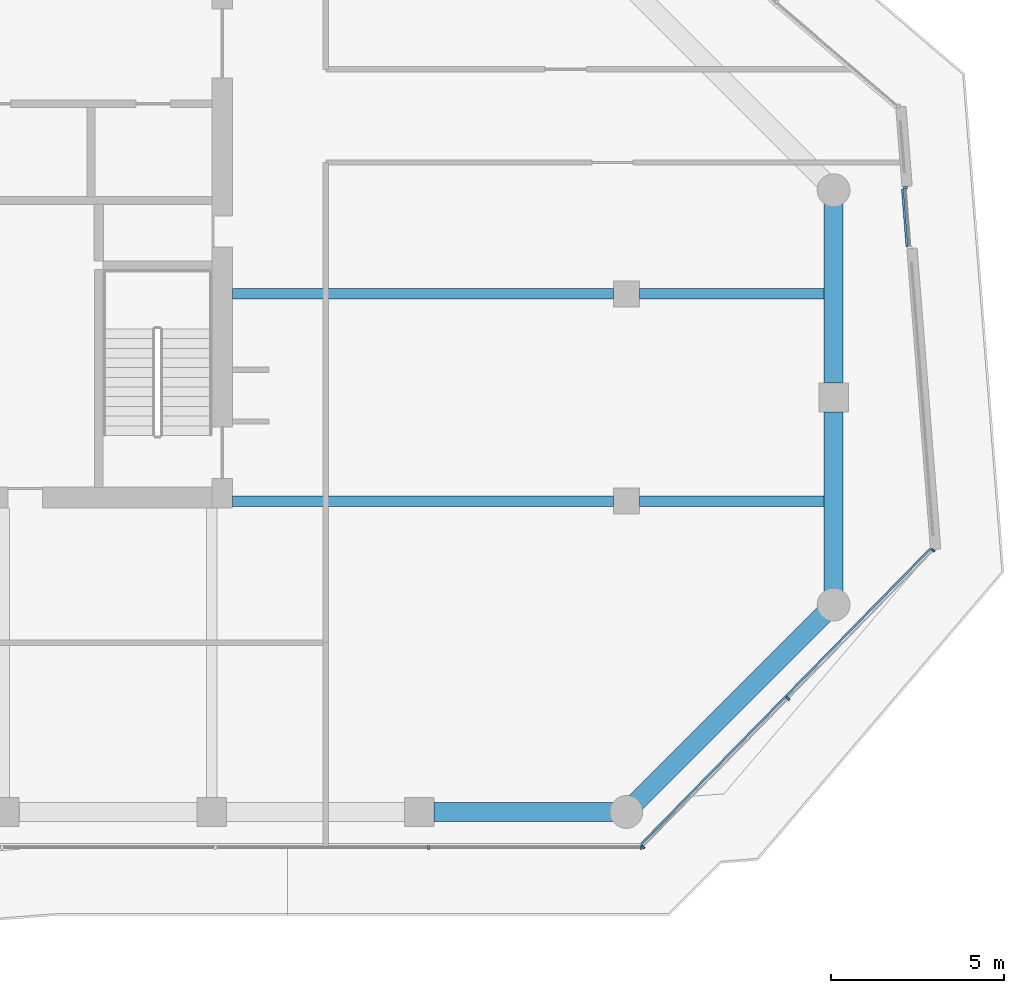
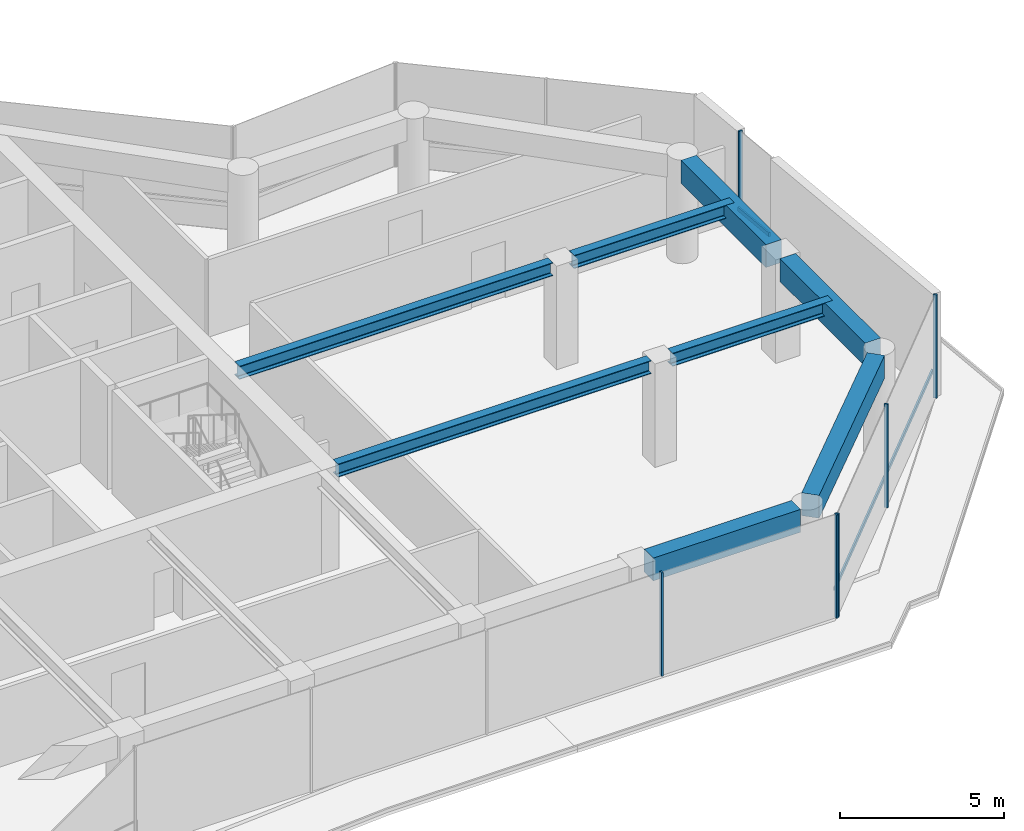
# One storey, part 7 of 23: 8 beams, 8 members, 3 elements without a shape of their own.
"""IFC4 building model written with IfcOpenShell, lengths in metres."""

from ifc_helpers import new_model, si_unit, direction, frame, origin, origin_2d, place, context, subcontext, project, spatial, rectangle, i_section, extrude, material, layer, layer_set, material_profile, profile_set, type_object, element, aggregate, save


model = new_model("IFC4")

# Units and contexts
model_context = context("Model", 3, precision=1e-05, world=origin(), true_north=direction((0.0, 1.0)))
body_context = subcontext(model_context, "Body", "Model", "MODEL_VIEW")
ifc_project = project(units=[si_unit("LENGTHUNIT", "METRE"), si_unit("AREAUNIT", "SQUARE_METRE"), si_unit("VOLUMEUNIT", "CUBIC_METRE"), si_unit("PLANEANGLEUNIT", "RADIAN"), si_unit("MASSUNIT", "GRAM", prefix="KILO")], contexts=[model_context])

# Site, building, storey
site_placement = place(None, origin())
site = spatial("IfcSite", under=ifc_project, at=site_placement, CompositionType="ELEMENT")
building_placement = place(site_placement, origin())
building = spatial("IfcBuilding", under=site, at=building_placement, Name="Welwitschia Terrace Campus", CompositionType="ELEMENT")
storey_placement = place(building_placement, frame((0.0, 0.0, 188.60009765625)))
storey = spatial("IfcBuildingStorey", under=building, at=storey_placement, Name="L42", CompositionType="ELEMENT", Elevation=188.60009765625)

# Beams
ifc_material_1 = material(Name="Steel S355", Category="steel")
ifc_material_profile_1 = material_profile(ifc_material_1, i_section(OverallWidth=0.300048828125, OverallDepth=0.489990234375, WebThickness=0.011962890625, FlangeThickness=0.02294921875, FilletRadius=0.027099609375, at=origin_2d()))
ifc_profile_set_1 = profile_set([ifc_material_profile_1], Name="Steel S355")
beam_type_1 = type_object("IfcBeamType", Name="Interior girder HE 500 A", PredefinedType="BEAM", material=ifc_profile_set_1)
beam_1_placement = place(storey_placement, frame((24.60107421875, 5.0, 3.60498046875), z_axis=(1.0, 0.0, 0.0), x_axis=(0.0, 1.0, 0.0)))
element("IfcBeam", 1, at=beam_1_placement, inside=storey, type_object=beam_type_1, Name="Girder GB4", PredefinedType="BEAM", context=body_context, shape_type="SweptSolid", body=[
    extrude(i_section(OverallWidth=0.300048828125, OverallDepth=0.489990234375, WebThickness=0.011962890625, FlangeThickness=0.02294921875, FilletRadius=0.027099609375, at=origin_2d()), origin(), (0.0, 0.0, 1.0), 11.0234375),
])
beam_2_placement = place(storey_placement, frame((36.37548828125, 5.0, 3.60498046875), z_axis=(1.0, 0.0, 0.0), x_axis=(0.0, 1.0, 0.0)))
element("IfcBeam", 2, at=beam_2_placement, inside=storey, type_object=beam_type_1, Name="Girder GB4", PredefinedType="BEAM", context=body_context, shape_type="SweptSolid", body=[
    extrude(i_section(OverallWidth=0.300048828125, OverallDepth=0.489990234375, WebThickness=0.011962890625, FlangeThickness=0.02294921875, FilletRadius=0.027099609375, at=origin_2d()), origin(), (0.0, 0.0, 1.0), 5.634521484375),
])
beam_3_placement = place(storey_placement, frame((24.60107421875, 11.0, 3.60498046875), z_axis=(1.0, 0.0, 0.0), x_axis=(0.0, 1.0, 0.0)))
element("IfcBeam", 3, at=beam_3_placement, inside=storey, type_object=beam_type_1, Name="Girder GB4", PredefinedType="BEAM", context=body_context, shape_type="SweptSolid", body=[
    extrude(i_section(OverallWidth=0.300048828125, OverallDepth=0.489990234375, WebThickness=0.011962890625, FlangeThickness=0.02294921875, FilletRadius=0.027099609375, at=origin_2d()), origin(), (0.0, 0.0, 1.0), 11.0234375),
])
beam_4_placement = place(storey_placement, frame((36.37548828125, 11.0, 3.60498046875), z_axis=(1.0, 0.0, 0.0), x_axis=(0.0, 1.0, 0.0)))
element("IfcBeam", 4, at=beam_4_placement, inside=storey, type_object=beam_type_1, Name="Girder GB4", PredefinedType="BEAM", context=body_context, shape_type="SweptSolid", body=[
    extrude(i_section(OverallWidth=0.300048828125, OverallDepth=0.489990234375, WebThickness=0.011962890625, FlangeThickness=0.02294921875, FilletRadius=0.027099609375, at=origin_2d()), origin(), (0.0, 0.0, 1.0), 5.634521484375),
])

# Curtain wall, members
ifc_material_2 = material(Name="Bronze anodised aluminium", Category="aluminium")
ifc_layer = layer(ifc_material_2, 0.1201171875)
ifc_layer_set = layer_set([ifc_layer], Name="Bronze anodised aluminium")
curtain_wall_type = type_object("IfcCurtainWallType", Name="Curtain wall CW2 tower 6000", PredefinedType="NOTDEFINED", material=ifc_layer_set)
curtain_wall_1_placement = place(storey_placement, origin())
curtain_wall_1 = element("IfcCurtainWall", 5, at=curtain_wall_1_placement, inside=storey, type_object=curtain_wall_type, Name="CW L42.3.0", PredefinedType="NOTDEFINED")
ifc_material_3 = material(Name="Bronze anodised aluminium", Category="aluminium")
ifc_material_profile_2 = material_profile(ifc_material_3, rectangle(XDim=0.1201171875, YDim=0.06005859375, at=origin_2d()))
ifc_profile_set_2 = profile_set([ifc_material_profile_2], Name="Bronze anodised aluminium")
member_type_1 = type_object("IfcMemberType", Name="Mullion 60x120", PredefinedType="MULLION", material=ifc_profile_set_2)
member_1_placement = place(storey_placement, frame((30.280029296875, -5.030029296875, 0.0), z_axis=(0.0, 0.0, 1.0), x_axis=(0.0, 1.0, 0.0)))
member_1 = element("IfcMember", 6, at=member_1_placement, type_object=member_type_1, Name="Mullion L42.3.0.4", PredefinedType="MULLION", context=body_context, shape_type="SweptSolid", body=[
    extrude(rectangle(XDim=0.1201171875, YDim=0.06005859375, at=origin_2d()), origin(), (0.0, 0.0, 1.0), 3.849853515625),
])
member_2_placement = place(storey_placement, frame((36.4267578125, -5.030029296875, 0.0), z_axis=(0.0, 0.0, 1.0), x_axis=(0.0, 1.0, 0.0)))
member_2 = element("IfcMember", 7, at=member_2_placement, type_object=member_type_1, Name="Mullion L42.3.0.5", PredefinedType="MULLION", context=body_context, shape_type="SweptSolid", body=[
    extrude(rectangle(XDim=0.1201171875, YDim=0.06005859375, at=origin_2d()), origin(), (0.0, 0.0, 1.0), 3.849853515625),
])
aggregate(curtain_wall_1, [member_1, member_2])

curtain_wall_2_placement = place(storey_placement, origin())
curtain_wall_2 = element("IfcCurtainWall", 8, at=curtain_wall_2_placement, inside=storey, type_object=curtain_wall_type, Name="CW L42.4.0", PredefinedType="NOTDEFINED")
member_3_placement = place(storey_placement, frame((36.4775390625, -5.008544921875, 0.0), z_axis=(0.0, 0.0, 1.0), x_axis=(-0.714458712229, 0.699677603272, 0.0)))
member_3 = element("IfcMember", 9, at=member_3_placement, type_object=member_type_1, Name="Mullion L42.4.0.0", PredefinedType="MULLION", context=body_context, shape_type="SweptSolid", body=[
    extrude(rectangle(XDim=0.1201171875, YDim=0.06005859375, at=origin_2d()), origin(), (0.0, 0.0, 1.0), 3.849853515625),
])
member_4_placement = place(storey_placement, frame((40.680908203125, -0.716552734375, 0.0), z_axis=(0.0, 0.0, 1.0), x_axis=(-0.714458712229, 0.699677603272, 0.0)))
member_4 = element("IfcMember", 10, at=member_4_placement, type_object=member_type_1, Name="Mullion L42.4.0.1", PredefinedType="MULLION", context=body_context, shape_type="SweptSolid", body=[
    extrude(rectangle(XDim=0.1201171875, YDim=0.06005859375, at=origin_2d()), origin(), (0.0, 0.0, 1.0), 3.849853515625),
])
member_5_placement = place(storey_placement, frame((44.88427734375, 3.57568359375, 0.0), z_axis=(0.0, 0.0, 1.0), x_axis=(-0.714458712229, 0.699677603272, 0.0)))
member_5 = element("IfcMember", 11, at=member_5_placement, type_object=member_type_1, Name="Mullion L42.4.0.2", PredefinedType="MULLION", context=body_context, shape_type="SweptSolid", body=[
    extrude(rectangle(XDim=0.1201171875, YDim=0.06005859375, at=origin_2d()), origin(), (0.0, 0.0, 1.0), 3.849853515625),
])

# Curtain wall, member
curtain_wall_3_placement = place(storey_placement, origin())
curtain_wall_3 = element("IfcCurtainWall", 12, at=curtain_wall_3_placement, inside=storey, type_object=curtain_wall_type, Name="CW L42.5.S0", PredefinedType="NOTDEFINED")
member_6_placement = place(storey_placement, frame((44.08056640625, 14.07470703125, 0.0), z_axis=(0.0, 0.0, 1.0), x_axis=(-0.996917333733, -0.078459095728, 0.0)))
member_6 = element("IfcMember", 13, at=member_6_placement, type_object=member_type_1, Name="Mullion L42.5.S0.1", PredefinedType="MULLION", context=body_context, shape_type="SweptSolid", body=[
    extrude(rectangle(XDim=0.1201171875, YDim=0.06005859375, at=origin_2d()), origin(), (0.0, 0.0, 1.0), 3.849853515625),
])

# Beams
ifc_material_4 = material(Name="Concrete C50/60", Category="concrete")
ifc_material_profile_3 = material_profile(ifc_material_4, rectangle(XDim=0.550048828125, YDim=0.85009765625, at=origin_2d()))
ifc_profile_set_3 = profile_set([ifc_material_profile_3], Name="Concrete C50/60")
beam_type_2 = type_object("IfcBeamType", Name="Ring spandrel 550x850", PredefinedType="SPANDREL", material=ifc_profile_set_3)
beam_5_placement = place(storey_placement, frame((30.425537109375, -4.0, 3.4248046875), z_axis=(1.0, 0.0, 0.0), x_axis=(0.0, 1.0, 0.0)))
element("IfcBeam", 14, at=beam_5_placement, inside=storey, type_object=beam_type_2, Name="Spandrel SP3", PredefinedType="SPANDREL", context=body_context, shape_type="SweptSolid", body=[
    extrude(rectangle(XDim=0.550048828125, YDim=0.85009765625, at=origin_2d()), origin(), (0.0, 0.0, 1.0), 5.1865234375),
])
beam_6_placement = place(storey_placement, frame((36.2744140625, -3.7255859375, 3.4248046875), z_axis=(0.707106781187, 0.707106781187, 0.0), x_axis=(-0.707106781187, 0.707106781187, 0.0)))
element("IfcBeam", 15, at=beam_6_placement, inside=storey, type_object=beam_type_2, Name="Spandrel SP3", PredefinedType="SPANDREL", context=body_context, shape_type="SweptSolid", body=[
    extrude(rectangle(XDim=0.550048828125, YDim=0.85009765625, at=origin_2d()), origin(), (0.0, 0.0, 1.0), 7.709228515625),
])
for number, where, z_axis, x_axis, name in (
    (16, (42.0, 2.387939453125, 3.4248046875), (0.0, 1.0, 0.0), (-1.0, 0.0, 0.0), "Spandrel SP3"),
    (17, (42.0, 8.425537109375, 3.4248046875), (0.0, 1.0, 0.0), (-1.0, 0.0, 0.0), "Spandrel SP3"),
):
    element("IfcBeam", number, at=place(storey_placement, frame(where, z_axis=z_axis, x_axis=x_axis)), inside=storey, type_object=beam_type_2, Name=name, PredefinedType="SPANDREL", context=body_context, shape_type="SweptSolid", body=[
        extrude(rectangle(XDim=0.550048828125, YDim=0.85009765625, at=origin_2d()), origin(), (0.0, 0.0, 1.0), 5.1865234375),
    ])

# Member
ifc_material_5 = material(Name="Bronze anodised aluminium", Category="aluminium")
ifc_material_profile_4 = material_profile(ifc_material_5, rectangle(XDim=0.06005859375, YDim=0.14990234375, at=origin_2d()))
ifc_profile_set_4 = profile_set([ifc_material_profile_4], Name="Bronze anodised aluminium")
member_type_2 = type_object("IfcMemberType", Name="Transom 60x150", PredefinedType="USERDEFINED", material=ifc_profile_set_4)
member_7_placement = place(storey_placement, frame((36.434326171875, -4.924072265625, 1.0), z_axis=(0.699685824162, 0.714450661325, 0.0), x_axis=(-0.714450661325, 0.699685824162, 0.0)))
member_7 = element("IfcMember", 18, at=member_7_placement, type_object=member_type_2, Name="Transom L42.4.0", ObjectType="TRANSOM", PredefinedType="USERDEFINED", context=body_context, shape_type="SweptSolid", body=[
    extrude(rectangle(XDim=0.06005859375, YDim=0.14990234375, at=origin_2d()), origin(), (0.0, 0.0, 1.0), 11.955078125),
])

aggregate(curtain_wall_2, [member_3, member_4, member_5, member_7])

member_8_placement = place(storey_placement, frame((44.125, 12.36279296875, 1.0), z_axis=(-0.078474447191, 0.996916125428, 0.0), x_axis=(-0.996916125428, -0.078474447191, 0.0)))
member_8 = element("IfcMember", 19, at=member_8_placement, type_object=member_type_2, Name="Transom L42.5.S0", ObjectType="TRANSOM", PredefinedType="USERDEFINED", context=body_context, shape_type="SweptSolid", body=[
    extrude(rectangle(XDim=0.06005859375, YDim=0.14990234375, at=origin_2d()), origin(), (0.0, 0.0, 1.0), 1.679931640625),
])

aggregate(curtain_wall_3, [member_6, member_8])

save(model, "model.ifc")
